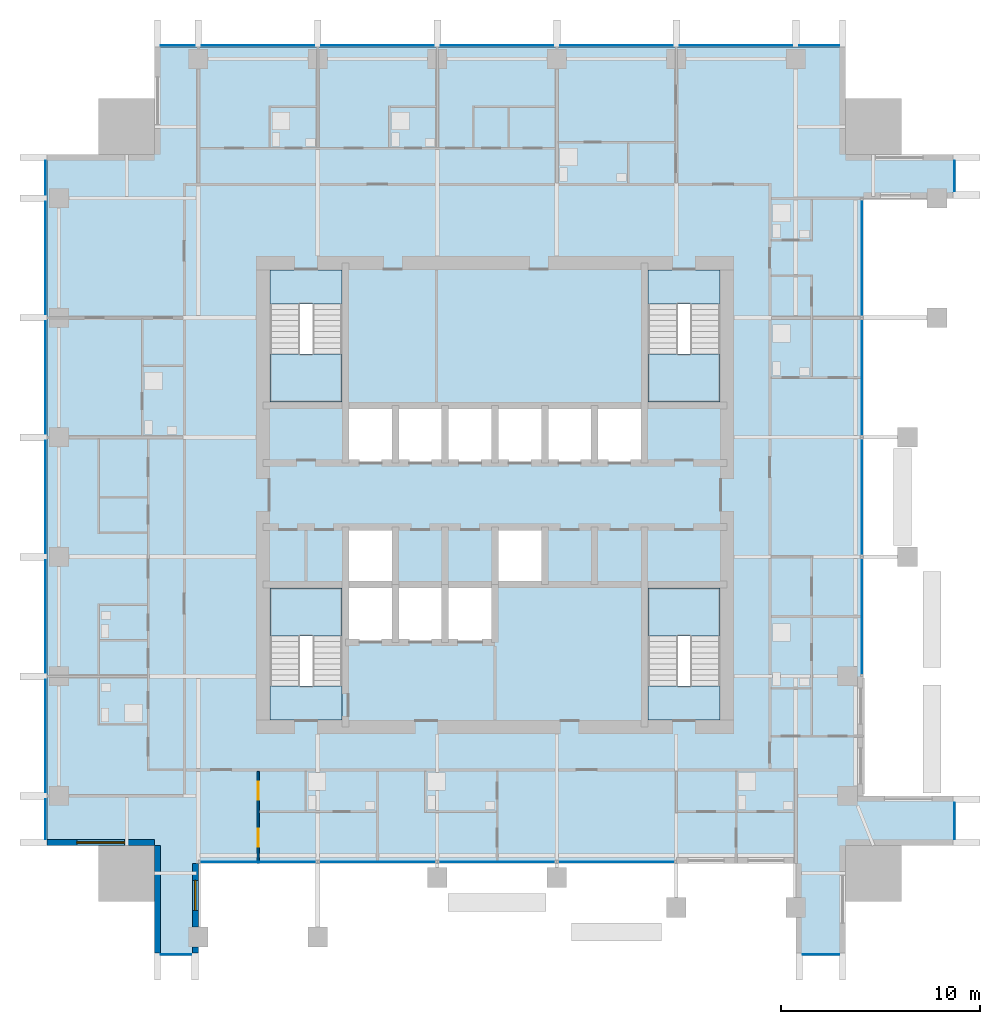
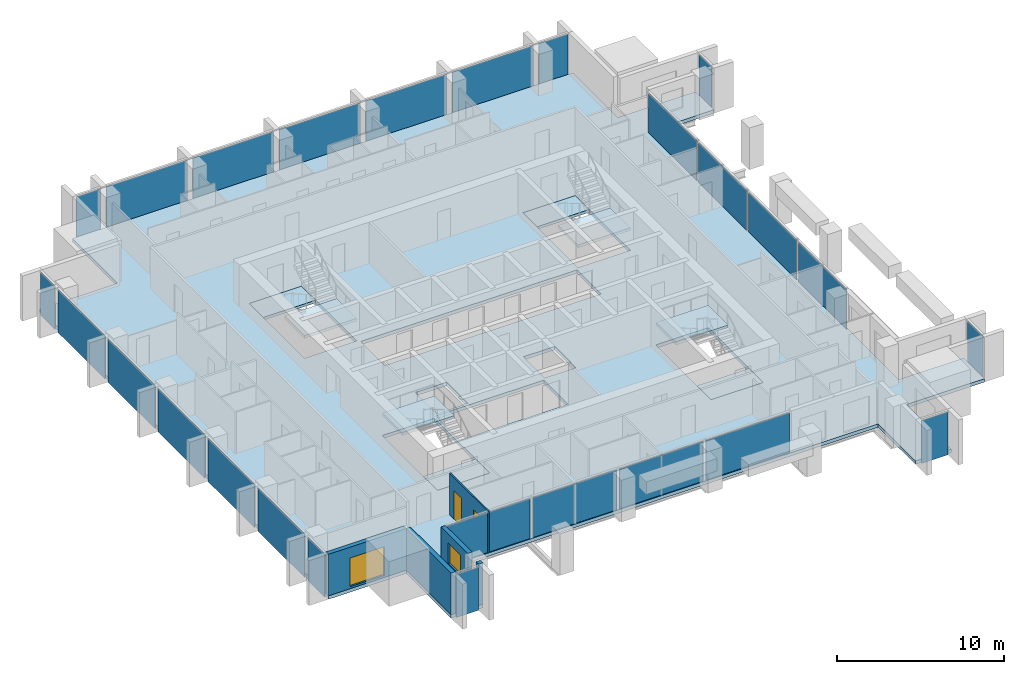
# One storey, part 7 of 14: 26 plates, 9 slabs, 5 walls, 2 doors, 2 windows, 4 openings, 18 elements without a shape of their own.
"""IFC4 building model written with IfcOpenShell, lengths in metres."""

from ifc_helpers import new_model, si_unit, direction, frame, frame_2d, origin, origin_2d, place, context, subcontext, project, spatial, polyline, rectangle, outline, extrude, material, layer, layer_set, type_object, element, fill, aggregate, save


model = new_model("IFC4")

# Units and contexts
model_context = context("Model", 3, precision=1e-05, world=origin(), true_north=direction((0.0, 1.0)))
body_context = subcontext(model_context, "Body", "Model", "MODEL_VIEW")
ifc_project = project(units=[si_unit("LENGTHUNIT", "METRE"), si_unit("AREAUNIT", "SQUARE_METRE"), si_unit("VOLUMEUNIT", "CUBIC_METRE"), si_unit("PLANEANGLEUNIT", "RADIAN"), si_unit("MASSUNIT", "GRAM", prefix="KILO")], contexts=[model_context])

# Site, building, storey
site_placement = place(None, origin())
site = spatial("IfcSite", under=ifc_project, at=site_placement, CompositionType="ELEMENT")
building_placement = place(site_placement, origin())
building = spatial("IfcBuilding", under=site, at=building_placement, Name="Amberfall Residences", CompositionType="ELEMENT")
storey_placement = place(building_placement, frame((0.0, 0.0, 168.10009765625)))
storey = spatial("IfcBuildingStorey", under=building, at=storey_placement, Name="L45", CompositionType="ELEMENT", Elevation=168.10009765625)

# Curtain wall, plate
ifc_material_1 = material(Name="Bronze anodised aluminium and glass", Category="aluminium")
curtain_wall_type_1 = type_object("IfcCurtainWallType", Name="Curtain wall CW1 tower unit", PredefinedType="USERDEFINED", material=ifc_material_1)
curtain_wall_1_placement = place(storey_placement, origin())
curtain_wall_1 = element("IfcCurtainWall", 1, at=curtain_wall_1_placement, inside=storey, type_object=curtain_wall_type_1, Name="Curtain wall L45 S S1", ObjectType="UNITISED CURTAIN WALL", PredefinedType="USERDEFINED")
ifc_material_2 = material(Name="Tinted double glazed unit", Category="glass")
ifc_layer_1 = layer(ifc_material_2, 0.035888671875)
ifc_layer_set_1 = layer_set([ifc_layer_1], Name="CW1 panel 36 glazing")
plate_type_1 = type_object("IfcPlateType", Name="CW1 panel 36 glazing", PredefinedType="CURTAIN_PANEL", material=ifc_layer_set_1)
plate_1_placement = place(storey_placement, frame((58.47509765625, 22.425048828125, -0.25), z_axis=(0.0, 0.0, 1.0), x_axis=(1.0, 0.0, 0.0)))
plate_1 = element("IfcPlate", 2, at=plate_1_placement, type_object=plate_type_1, Name="CW1 panel 1.1", PredefinedType="CURTAIN_PANEL", context=body_context, shape_type="SweptSolid", body=[
    extrude(rectangle(XDim=1.52587890625, YDim=0.035888671875, at=origin_2d()), origin(), (0.0, 0.0, 1.0), 3.14990234375),
])
aggregate(curtain_wall_1, [plate_1])

curtain_wall_2_placement = place(storey_placement, origin())
curtain_wall_2 = element("IfcCurtainWall", 3, at=curtain_wall_2_placement, inside=storey, type_object=curtain_wall_type_1, Name="Curtain wall L45 S S9", ObjectType="UNITISED CURTAIN WALL", PredefinedType="USERDEFINED")
plate_2_placement = place(storey_placement, frame((90.875, 22.425048828125, -0.25), z_axis=(0.0, 0.0, 1.0), x_axis=(1.0, 0.0, 0.0)))
plate_2 = element("IfcPlate", 4, at=plate_2_placement, type_object=plate_type_1, Name="CW1 panel 1.1", PredefinedType="CURTAIN_PANEL", context=body_context, shape_type="SweptSolid", body=[
    extrude(rectangle(XDim=1.825927734375, YDim=0.035888671875, at=origin_2d()), origin(), (0.0, 0.0, 1.0), 3.14990234375),
])
aggregate(curtain_wall_2, [plate_2])

curtain_wall_3_placement = place(storey_placement, origin())
curtain_wall_3 = element("IfcCurtainWall", 5, at=curtain_wall_3_placement, inside=storey, type_object=curtain_wall_type_1, Name="Curtain wall L45 E E1", ObjectType="UNITISED CURTAIN WALL", PredefinedType="USERDEFINED")
plate_3_placement = place(storey_placement, frame((97.574951171875, 29.125, -0.25), z_axis=(0.0, 0.0, 1.0), x_axis=(0.0, 1.0, 0.0)))
plate_3 = element("IfcPlate", 6, at=plate_3_placement, type_object=plate_type_1, Name="CW1 panel 1.1", PredefinedType="CURTAIN_PANEL", context=body_context, shape_type="SweptSolid", body=[
    extrude(rectangle(XDim=1.825927734375, YDim=0.035888671875, at=origin_2d()), origin(), (0.0, 0.0, 1.0), 3.14990234375),
])
aggregate(curtain_wall_3, [plate_3])

curtain_wall_4_placement = place(storey_placement, origin())
curtain_wall_4 = element("IfcCurtainWall", 7, at=curtain_wall_4_placement, inside=storey, type_object=curtain_wall_type_1, Name="Curtain wall L45 E E9", ObjectType="UNITISED CURTAIN WALL", PredefinedType="USERDEFINED")
plate_4_placement = place(storey_placement, frame((97.574951171875, 61.52490234375, -0.25), z_axis=(0.0, 0.0, 1.0), x_axis=(0.0, 1.0, 0.0)))
plate_4 = element("IfcPlate", 8, at=plate_4_placement, type_object=plate_type_1, Name="CW1 panel 1.1", PredefinedType="CURTAIN_PANEL", context=body_context, shape_type="SweptSolid", body=[
    extrude(rectangle(XDim=1.52587890625, YDim=0.035888671875, at=origin_2d()), origin(), (0.0, 0.0, 1.0), 3.14990234375),
])
aggregate(curtain_wall_4, [plate_4])

# Curtain wall, plates
curtain_wall_5_placement = place(storey_placement, origin())
curtain_wall_5 = element("IfcCurtainWall", 9, at=curtain_wall_5_placement, inside=storey, type_object=curtain_wall_type_1, Name="Curtain wall L45 N N1", ObjectType="UNITISED CURTAIN WALL", PredefinedType="USERDEFINED")
plate_5_placement = place(storey_placement, frame((90.78759765625, 68.074951171875, -0.25), z_axis=(0.0, 0.0, 1.0), x_axis=(-1.0, 0.0, 0.0)))
plate_5 = element("IfcPlate", 10, at=plate_5_placement, type_object=plate_type_1, Name="CW1 panel 1.1", PredefinedType="CURTAIN_PANEL", context=body_context, shape_type="SweptSolid", body=[
    extrude(rectangle(XDim=2.0009765625, YDim=0.035888671875, at=origin_2d()), origin(), (0.0, 0.0, 1.0), 3.14990234375),
])
plate_6_placement = place(storey_placement, frame((86.60009765625, 68.074951171875, -0.25), z_axis=(0.0, 0.0, 1.0), x_axis=(-1.0, 0.0, 0.0)))
plate_6 = element("IfcPlate", 11, at=plate_6_placement, type_object=plate_type_1, Name="CW1 panel 2.1", PredefinedType="CURTAIN_PANEL", context=body_context, shape_type="SweptSolid", body=[
    extrude(rectangle(XDim=5.6259765625, YDim=0.035888671875, at=origin_2d()), origin(), (0.0, 0.0, 1.0), 3.14990234375),
])
plate_7_placement = place(storey_placement, frame((80.60009765625, 68.074951171875, -0.25), z_axis=(0.0, 0.0, 1.0), x_axis=(-1.0, 0.0, 0.0)))
plate_7 = element("IfcPlate", 12, at=plate_7_placement, type_object=plate_type_1, Name="CW1 panel 3.1", PredefinedType="CURTAIN_PANEL", context=body_context, shape_type="SweptSolid", body=[
    extrude(rectangle(XDim=5.6259765625, YDim=0.035888671875, at=origin_2d()), origin(), (0.0, 0.0, 1.0), 3.14990234375),
])
plate_8_placement = place(storey_placement, frame((74.60009765625, 68.074951171875, -0.25), z_axis=(0.0, 0.0, 1.0), x_axis=(-1.0, 0.0, 0.0)))
plate_8 = element("IfcPlate", 13, at=plate_8_placement, type_object=plate_type_1, Name="CW1 panel 4.1", PredefinedType="CURTAIN_PANEL", context=body_context, shape_type="SweptSolid", body=[
    extrude(rectangle(XDim=5.6259765625, YDim=0.035888671875, at=origin_2d()), origin(), (0.0, 0.0, 1.0), 3.14990234375),
])
plate_9_placement = place(storey_placement, frame((68.60009765625, 68.074951171875, -0.25), z_axis=(0.0, 0.0, 1.0), x_axis=(-1.0, 0.0, 0.0)))
plate_9 = element("IfcPlate", 14, at=plate_9_placement, type_object=plate_type_1, Name="CW1 panel 5.1", PredefinedType="CURTAIN_PANEL", context=body_context, shape_type="SweptSolid", body=[
    extrude(rectangle(XDim=5.6259765625, YDim=0.035888671875, at=origin_2d()), origin(), (0.0, 0.0, 1.0), 3.14990234375),
])
plate_10_placement = place(storey_placement, frame((62.60009765625, 68.074951171875, -0.25), z_axis=(0.0, 0.0, 1.0), x_axis=(-1.0, 0.0, 0.0)))
plate_10 = element("IfcPlate", 15, at=plate_10_placement, type_object=plate_type_1, Name="CW1 panel 6.1", PredefinedType="CURTAIN_PANEL", context=body_context, shape_type="SweptSolid", body=[
    extrude(rectangle(XDim=5.6259765625, YDim=0.035888671875, at=origin_2d()), origin(), (0.0, 0.0, 1.0), 3.14990234375),
])
plate_11_placement = place(storey_placement, frame((58.5625, 68.074951171875, -0.25), z_axis=(0.0, 0.0, 1.0), x_axis=(-1.0, 0.0, 0.0)))
plate_11 = element("IfcPlate", 16, at=plate_11_placement, type_object=plate_type_1, Name="CW1 panel 7.1", PredefinedType="CURTAIN_PANEL", context=body_context, shape_type="SweptSolid", body=[
    extrude(rectangle(XDim=1.700927734375, YDim=0.035888671875, at=origin_2d()), origin(), (0.0, 0.0, 1.0), 3.14990234375),
])
aggregate(curtain_wall_5, [plate_5, plate_6, plate_7, plate_8, plate_9, plate_10, plate_11])

curtain_wall_6_placement = place(storey_placement, origin())
curtain_wall_6 = element("IfcCurtainWall", 17, at=curtain_wall_6_placement, inside=storey, type_object=curtain_wall_type_1, Name="Curtain wall L45 W W1", ObjectType="UNITISED CURTAIN WALL", PredefinedType="USERDEFINED")
plate_12_placement = place(storey_placement, frame((51.925048828125, 61.4375, -0.25), z_axis=(0.0, 0.0, 1.0), x_axis=(0.0, -1.0, 0.0)))
plate_12 = element("IfcPlate", 18, at=plate_12_placement, type_object=plate_type_1, Name="CW1 panel 1.1", PredefinedType="CURTAIN_PANEL", context=body_context, shape_type="SweptSolid", body=[
    extrude(rectangle(XDim=1.700927734375, YDim=0.035888671875, at=origin_2d()), origin(), (0.0, 0.0, 1.0), 3.14990234375),
])
plate_13_placement = place(storey_placement, frame((51.925048828125, 57.39990234375, -0.25), z_axis=(0.0, 0.0, 1.0), x_axis=(0.0, -1.0, 0.0)))
plate_13 = element("IfcPlate", 19, at=plate_13_placement, type_object=plate_type_1, Name="CW1 panel 2.1", PredefinedType="CURTAIN_PANEL", context=body_context, shape_type="SweptSolid", body=[
    extrude(rectangle(XDim=5.6259765625, YDim=0.035888671875, at=origin_2d()), origin(), (0.0, 0.0, 1.0), 3.14990234375),
])
plate_14_placement = place(storey_placement, frame((51.925048828125, 51.39990234375, -0.25), z_axis=(0.0, 0.0, 1.0), x_axis=(0.0, -1.0, 0.0)))
plate_14 = element("IfcPlate", 20, at=plate_14_placement, type_object=plate_type_1, Name="CW1 panel 3.1", PredefinedType="CURTAIN_PANEL", context=body_context, shape_type="SweptSolid", body=[
    extrude(rectangle(XDim=5.6259765625, YDim=0.035888671875, at=origin_2d()), origin(), (0.0, 0.0, 1.0), 3.14990234375),
])
plate_15_placement = place(storey_placement, frame((51.925048828125, 45.39990234375, -0.25), z_axis=(0.0, 0.0, 1.0), x_axis=(0.0, -1.0, 0.0)))
plate_15 = element("IfcPlate", 21, at=plate_15_placement, type_object=plate_type_1, Name="CW1 panel 4.1", PredefinedType="CURTAIN_PANEL", context=body_context, shape_type="SweptSolid", body=[
    extrude(rectangle(XDim=5.6259765625, YDim=0.035888671875, at=origin_2d()), origin(), (0.0, 0.0, 1.0), 3.14990234375),
])
plate_16_placement = place(storey_placement, frame((51.925048828125, 39.39990234375, -0.25), z_axis=(0.0, 0.0, 1.0), x_axis=(0.0, -1.0, 0.0)))
plate_16 = element("IfcPlate", 22, at=plate_16_placement, type_object=plate_type_1, Name="CW1 panel 5.1", PredefinedType="CURTAIN_PANEL", context=body_context, shape_type="SweptSolid", body=[
    extrude(rectangle(XDim=5.6259765625, YDim=0.035888671875, at=origin_2d()), origin(), (0.0, 0.0, 1.0), 3.14990234375),
])
plate_17_placement = place(storey_placement, frame((51.925048828125, 33.39990234375, -0.25), z_axis=(0.0, 0.0, 1.0), x_axis=(0.0, -1.0, 0.0)))
plate_17 = element("IfcPlate", 23, at=plate_17_placement, type_object=plate_type_1, Name="CW1 panel 6.1", PredefinedType="CURTAIN_PANEL", context=body_context, shape_type="SweptSolid", body=[
    extrude(rectangle(XDim=5.6259765625, YDim=0.035888671875, at=origin_2d()), origin(), (0.0, 0.0, 1.0), 3.14990234375),
])
plate_18_placement = place(storey_placement, frame((51.925048828125, 29.21240234375, -0.25), z_axis=(0.0, 0.0, 1.0), x_axis=(0.0, -1.0, 0.0)))
plate_18 = element("IfcPlate", 24, at=plate_18_placement, type_object=plate_type_1, Name="CW1 panel 7.1", PredefinedType="CURTAIN_PANEL", context=body_context, shape_type="SweptSolid", body=[
    extrude(rectangle(XDim=2.0009765625, YDim=0.035888671875, at=origin_2d()), origin(), (0.0, 0.0, 1.0), 3.14990234375),
])
aggregate(curtain_wall_6, [plate_12, plate_13, plate_14, plate_15, plate_16, plate_17, plate_18])

# Curtain wall, plate
curtain_wall_type_2 = type_object("IfcCurtainWallType", Name="Curtain wall CW3 sky garden glazing", PredefinedType="USERDEFINED", material=ifc_material_1)
curtain_wall_7_placement = place(storey_placement, origin())
curtain_wall_7 = element("IfcCurtainWall", 25, at=curtain_wall_7_placement, inside=storey, type_object=curtain_wall_type_2, Name="Curtain wall L45 S S3", ObjectType="UNITISED CURTAIN WALL", PredefinedType="USERDEFINED")
ifc_material_3 = material(Name="Tinted laminated double glazed unit", Category="glass")
ifc_layer_2 = layer(ifc_material_3, 0.0439453125)
ifc_layer_set_2 = layer_set([ifc_layer_2], Name="CW3 panel 44 glazing")
plate_type_2 = type_object("IfcPlateType", Name="CW3 panel 44 glazing", PredefinedType="CURTAIN_PANEL", material=ifc_layer_set_2)
plate_19_placement = place(storey_placement, frame((62.60009765625, 27.074951171875, 0.0), z_axis=(0.0, 0.0, 1.0), x_axis=(1.0, 0.0, 0.0)))
plate_19 = element("IfcPlate", 26, at=plate_19_placement, type_object=plate_type_2, Name="CW3 panel 1.1", PredefinedType="CURTAIN_PANEL", context=body_context, shape_type="SweptSolid", body=[
    extrude(rectangle(XDim=5.77587890625, YDim=0.0439453125, at=origin_2d()), origin(), (0.0, 0.0, 1.0), 2.89990234375),
])
aggregate(curtain_wall_7, [plate_19])

curtain_wall_8_placement = place(storey_placement, origin())
curtain_wall_8 = element("IfcCurtainWall", 27, at=curtain_wall_8_placement, inside=storey, type_object=curtain_wall_type_2, Name="Curtain wall L45 S S4", ObjectType="UNITISED CURTAIN WALL", PredefinedType="USERDEFINED")
plate_20_placement = place(storey_placement, frame((68.60009765625, 27.074951171875, 0.0), z_axis=(0.0, 0.0, 1.0), x_axis=(1.0, 0.0, 0.0)))
plate_20 = element("IfcPlate", 28, at=plate_20_placement, type_object=plate_type_2, Name="CW3 panel 1.1", PredefinedType="CURTAIN_PANEL", context=body_context, shape_type="SweptSolid", body=[
    extrude(rectangle(XDim=5.77587890625, YDim=0.0439453125, at=origin_2d()), origin(), (0.0, 0.0, 1.0), 2.89990234375),
])
aggregate(curtain_wall_8, [plate_20])

curtain_wall_9_placement = place(storey_placement, origin())
curtain_wall_9 = element("IfcCurtainWall", 29, at=curtain_wall_9_placement, inside=storey, type_object=curtain_wall_type_2, Name="Curtain wall L45 S S5", ObjectType="UNITISED CURTAIN WALL", PredefinedType="USERDEFINED")
plate_21_placement = place(storey_placement, frame((74.60009765625, 27.074951171875, 0.0), z_axis=(0.0, 0.0, 1.0), x_axis=(1.0, 0.0, 0.0)))
plate_21 = element("IfcPlate", 30, at=plate_21_placement, type_object=plate_type_2, Name="CW3 panel 1.1", PredefinedType="CURTAIN_PANEL", context=body_context, shape_type="SweptSolid", body=[
    extrude(rectangle(XDim=5.77587890625, YDim=0.0439453125, at=origin_2d()), origin(), (0.0, 0.0, 1.0), 2.89990234375),
])
aggregate(curtain_wall_9, [plate_21])

curtain_wall_10_placement = place(storey_placement, origin())
curtain_wall_10 = element("IfcCurtainWall", 31, at=curtain_wall_10_placement, inside=storey, type_object=curtain_wall_type_2, Name="Curtain wall L45 S S6", ObjectType="UNITISED CURTAIN WALL", PredefinedType="USERDEFINED")
plate_22_placement = place(storey_placement, frame((80.60009765625, 27.074951171875, 0.0), z_axis=(0.0, 0.0, 1.0), x_axis=(1.0, 0.0, 0.0)))
plate_22 = element("IfcPlate", 32, at=plate_22_placement, type_object=plate_type_2, Name="CW3 panel 1.1", PredefinedType="CURTAIN_PANEL", context=body_context, shape_type="SweptSolid", body=[
    extrude(rectangle(XDim=5.77587890625, YDim=0.0439453125, at=origin_2d()), origin(), (0.0, 0.0, 1.0), 2.89990234375),
])
aggregate(curtain_wall_10, [plate_22])

curtain_wall_11_placement = place(storey_placement, origin())
curtain_wall_11 = element("IfcCurtainWall", 33, at=curtain_wall_11_placement, inside=storey, type_object=curtain_wall_type_2, Name="Curtain wall L45 E E4", ObjectType="UNITISED CURTAIN WALL", PredefinedType="USERDEFINED")
plate_23_placement = place(storey_placement, frame((92.925048828125, 39.39990234375, 0.0), z_axis=(0.0, 0.0, 1.0), x_axis=(0.0, 1.0, 0.0)))
plate_23 = element("IfcPlate", 34, at=plate_23_placement, type_object=plate_type_2, Name="CW3 panel 1.1", PredefinedType="CURTAIN_PANEL", context=body_context, shape_type="SweptSolid", body=[
    extrude(rectangle(XDim=5.77587890625, YDim=0.0439453125, at=origin_2d()), origin(), (0.0, 0.0, 1.0), 2.89990234375),
])
aggregate(curtain_wall_11, [plate_23])

curtain_wall_12_placement = place(storey_placement, origin())
curtain_wall_12 = element("IfcCurtainWall", 35, at=curtain_wall_12_placement, inside=storey, type_object=curtain_wall_type_2, Name="Curtain wall L45 E E5", ObjectType="UNITISED CURTAIN WALL", PredefinedType="USERDEFINED")
plate_24_placement = place(storey_placement, frame((92.925048828125, 45.39990234375, 0.0), z_axis=(0.0, 0.0, 1.0), x_axis=(0.0, 1.0, 0.0)))
plate_24 = element("IfcPlate", 36, at=plate_24_placement, type_object=plate_type_2, Name="CW3 panel 1.1", PredefinedType="CURTAIN_PANEL", context=body_context, shape_type="SweptSolid", body=[
    extrude(rectangle(XDim=5.77587890625, YDim=0.0439453125, at=origin_2d()), origin(), (0.0, 0.0, 1.0), 2.89990234375),
])
aggregate(curtain_wall_12, [plate_24])

curtain_wall_13_placement = place(storey_placement, origin())
curtain_wall_13 = element("IfcCurtainWall", 37, at=curtain_wall_13_placement, inside=storey, type_object=curtain_wall_type_2, Name="Curtain wall L45 E E6", ObjectType="UNITISED CURTAIN WALL", PredefinedType="USERDEFINED")
plate_25_placement = place(storey_placement, frame((92.925048828125, 51.39990234375, 0.0), z_axis=(0.0, 0.0, 1.0), x_axis=(0.0, 1.0, 0.0)))
plate_25 = element("IfcPlate", 38, at=plate_25_placement, type_object=plate_type_2, Name="CW3 panel 1.1", PredefinedType="CURTAIN_PANEL", context=body_context, shape_type="SweptSolid", body=[
    extrude(rectangle(XDim=5.77587890625, YDim=0.0439453125, at=origin_2d()), origin(), (0.0, 0.0, 1.0), 2.89990234375),
])
aggregate(curtain_wall_13, [plate_25])

curtain_wall_14_placement = place(storey_placement, origin())
curtain_wall_14 = element("IfcCurtainWall", 39, at=curtain_wall_14_placement, inside=storey, type_object=curtain_wall_type_2, Name="Curtain wall L45 E E7", ObjectType="UNITISED CURTAIN WALL", PredefinedType="USERDEFINED")
plate_26_placement = place(storey_placement, frame((92.925048828125, 57.39990234375, 0.0), z_axis=(0.0, 0.0, 1.0), x_axis=(0.0, 1.0, 0.0)))
plate_26 = element("IfcPlate", 40, at=plate_26_placement, type_object=plate_type_2, Name="CW3 panel 1.1", PredefinedType="CURTAIN_PANEL", context=body_context, shape_type="SweptSolid", body=[
    extrude(rectangle(XDim=5.77587890625, YDim=0.0439453125, at=origin_2d()), origin(), (0.0, 0.0, 1.0), 2.89990234375),
])
aggregate(curtain_wall_14, [plate_26])

# Slab
ifc_material_4 = material(Name="Concrete C60", Category="concrete")
ifc_layer_3 = layer(ifc_material_4, 0.25)
ifc_layer_set_3 = layer_set([ifc_layer_3], Name="Floor slab 250 C60")
slab_type_1 = type_object("IfcSlabType", Name="Floor slab 250 C60", PredefinedType="FLOOR", material=ifc_layer_set_3)
slab_1_placement = place(storey_placement, frame((0.0, 0.0, -0.25)))
element("IfcSlab", 41, at=slab_1_placement, inside=storey, type_object=slab_type_1, Name="Floor slab S10 L45", PredefinedType="FLOOR", context=body_context, shape_type="SweptSolid", body=[
    extrude(outline(polyline([(89.60009765625, 22.5), (89.60009765625, 27.0), (83.60009765625, 27.0), (77.60009765625, 27.0), (71.60009765625, 27.0), (65.60009765625, 27.0), (59.60009765625, 27.0), (59.60009765625, 22.5), (57.39990234375, 22.5), (57.39990234375, 27.89990234375), (52.0, 27.89990234375), (52.0, 62.60009765625), (57.39990234375, 62.60009765625), (57.39990234375, 68.0), (92.10009765625, 68.0), (92.10009765625, 62.60009765625), (97.5, 62.60009765625), (97.5, 60.39990234375), (93.0, 60.39990234375), (93.0, 54.39990234375), (93.0, 48.39990234375), (93.0, 42.39990234375), (93.0, 36.39990234375), (93.0, 30.39990234375), (97.5, 30.39990234375), (97.5, 27.89990234375), (92.10009765625, 27.89990234375), (92.10009765625, 22.5), (89.60009765625, 22.5)]), holes=[polyline([(85.800048828125, 34.199951171875), (85.800048828125, 40.824951171875), (82.175048828125, 40.824951171875), (82.175048828125, 34.199951171875), (85.800048828125, 34.199951171875)]), polyline([(85.800048828125, 50.175048828125), (85.800048828125, 56.800048828125), (82.175048828125, 56.800048828125), (82.175048828125, 50.175048828125), (85.800048828125, 50.175048828125)]), polyline([(72.0, 50.0), (69.5, 50.0), (67.0, 50.0), (67.0, 47.10009765625), (69.5, 47.10009765625), (72.0, 47.10009765625), (74.5, 47.10009765625), (77.0, 47.10009765625), (79.5, 47.10009765625), (82.0, 47.10009765625), (82.0, 50.0), (79.5, 50.0), (77.0, 50.0), (74.5, 50.0), (72.0, 50.0)]), polyline([(76.824951171875, 41.175048828125), (76.824951171875, 43.72509765625), (74.675048828125, 43.72509765625), (74.675048828125, 41.175048828125), (76.824951171875, 41.175048828125)]), polyline([(69.5, 41.0), (67.0, 41.0), (67.0, 38.10009765625), (69.5, 38.10009765625), (72.0, 38.10009765625), (74.5, 38.10009765625), (74.5, 41.0), (72.0, 41.0), (69.5, 41.0)]), polyline([(69.324951171875, 41.175048828125), (69.324951171875, 43.72509765625), (67.175048828125, 43.72509765625), (67.175048828125, 41.175048828125), (69.324951171875, 41.175048828125)]), polyline([(66.824951171875, 50.175048828125), (66.824951171875, 56.800048828125), (63.199951171875, 56.800048828125), (63.199951171875, 50.175048828125), (66.824951171875, 50.175048828125)]), polyline([(66.824951171875, 40.824951171875), (63.199951171875, 40.824951171875), (63.199951171875, 34.199951171875), (66.824951171875, 34.199951171875), (66.824951171875, 40.824951171875)])]), origin(), (0.0, 0.0, 1.0), 0.25),
])

# Stair, slabs
ifc_material_5 = material(Name="Concrete C40", Category="concrete")
stair_type = type_object("IfcStairType", Name="Exit stair 20 risers 165.0 mm", PredefinedType="HALF_TURN_STAIR", material=ifc_material_5)
stair_1_placement = place(storey_placement, origin())
stair_1 = element("IfcStair", 42, at=stair_1_placement, inside=storey, type_object=stair_type, Name="L45 Exit stair 1", PredefinedType="HALF_TURN_STAIR")
ifc_layer_4 = layer(ifc_material_5, 0.199951171875)
ifc_layer_set_4 = layer_set([ifc_layer_4], Name="Stair landing 200")
slab_type_2 = type_object("IfcSlabType", Name="Stair landing 200", PredefinedType="LANDING", material=ifc_layer_set_4)
slab_2_placement = place(storey_placement, frame((0.0, 0.0, 1.449951171875)))
slab_2 = element("IfcSlab", 43, at=slab_2_placement, type_object=slab_type_2, Name="ST3 landing 1", PredefinedType="LANDING", context=body_context, shape_type="SweptSolid", body=[
    extrude(outline(polyline([(66.824951171875, 38.419921875), (66.824951171875, 40.824951171875), (63.199951171875, 40.824951171875), (63.199951171875, 38.419921875), (66.824951171875, 38.419921875)])), origin(), (0.0, 0.0, 1.0), 0.199951171875),
])
slab_3_placement = place(storey_placement, frame((0.0, 0.0, -0.2001953125)))
slab_3 = element("IfcSlab", 44, at=slab_3_placement, type_object=slab_type_2, Name="ST3 landing 2", PredefinedType="LANDING", context=body_context, shape_type="SweptSolid", body=[
    extrude(outline(polyline([(66.824951171875, 34.199951171875), (66.824951171875, 35.89990234375), (63.199951171875, 35.89990234375), (63.199951171875, 34.199951171875), (66.824951171875, 34.199951171875)])), origin(), (0.0, 0.0, 1.0), 0.2001953125),
])
aggregate(stair_1, [slab_2, slab_3])

stair_2_placement = place(storey_placement, origin())
stair_2 = element("IfcStair", 45, at=stair_2_placement, inside=storey, type_object=stair_type, Name="L45 Exit stair 2", PredefinedType="HALF_TURN_STAIR")
slab_4_placement = place(storey_placement, frame((0.0, 0.0, 1.449951171875)))
slab_4 = element("IfcSlab", 46, at=slab_4_placement, type_object=slab_type_2, Name="ST3 landing 1", PredefinedType="LANDING", context=body_context, shape_type="SweptSolid", body=[
    extrude(outline(polyline([(85.800048828125, 38.419921875), (85.800048828125, 40.824951171875), (82.175048828125, 40.824951171875), (82.175048828125, 38.419921875), (85.800048828125, 38.419921875)])), origin(), (0.0, 0.0, 1.0), 0.199951171875),
])
slab_5_placement = place(storey_placement, frame((0.0, 0.0, -0.2001953125)))
slab_5 = element("IfcSlab", 47, at=slab_5_placement, type_object=slab_type_2, Name="ST3 landing 2", PredefinedType="LANDING", context=body_context, shape_type="SweptSolid", body=[
    extrude(outline(polyline([(85.800048828125, 34.199951171875), (85.800048828125, 35.89990234375), (82.175048828125, 35.89990234375), (82.175048828125, 34.199951171875), (85.800048828125, 34.199951171875)])), origin(), (0.0, 0.0, 1.0), 0.2001953125),
])
aggregate(stair_2, [slab_4, slab_5])

stair_3_placement = place(storey_placement, origin())
stair_3 = element("IfcStair", 48, at=stair_3_placement, inside=storey, type_object=stair_type, Name="L45 Exit stair 3", PredefinedType="HALF_TURN_STAIR")
slab_6_placement = place(storey_placement, frame((0.0, 0.0, 1.449951171875)))
slab_6 = element("IfcSlab", 49, at=slab_6_placement, type_object=slab_type_2, Name="ST3 landing 1", PredefinedType="LANDING", context=body_context, shape_type="SweptSolid", body=[
    extrude(outline(polyline([(82.175048828125, 52.580078125), (82.175048828125, 50.175048828125), (85.800048828125, 50.175048828125), (85.800048828125, 52.580078125), (82.175048828125, 52.580078125)])), origin(), (0.0, 0.0, 1.0), 0.199951171875),
])
slab_7_placement = place(storey_placement, frame((0.0, 0.0, -0.2001953125)))
slab_7 = element("IfcSlab", 50, at=slab_7_placement, type_object=slab_type_2, Name="ST3 landing 2", PredefinedType="LANDING", context=body_context, shape_type="SweptSolid", body=[
    extrude(outline(polyline([(82.175048828125, 56.800048828125), (82.175048828125, 55.10009765625), (85.800048828125, 55.10009765625), (85.800048828125, 56.800048828125), (82.175048828125, 56.800048828125)])), origin(), (0.0, 0.0, 1.0), 0.2001953125),
])
aggregate(stair_3, [slab_6, slab_7])

stair_4_placement = place(storey_placement, origin())
stair_4 = element("IfcStair", 51, at=stair_4_placement, inside=storey, type_object=stair_type, Name="L45 Exit stair 4", PredefinedType="HALF_TURN_STAIR")
slab_8_placement = place(storey_placement, frame((0.0, 0.0, 1.449951171875)))
slab_8 = element("IfcSlab", 52, at=slab_8_placement, type_object=slab_type_2, Name="ST3 landing 1", PredefinedType="LANDING", context=body_context, shape_type="SweptSolid", body=[
    extrude(outline(polyline([(63.199951171875, 52.580078125), (63.199951171875, 50.175048828125), (66.824951171875, 50.175048828125), (66.824951171875, 52.580078125), (63.199951171875, 52.580078125)])), origin(), (0.0, 0.0, 1.0), 0.199951171875),
])
slab_9_placement = place(storey_placement, frame((0.0, 0.0, -0.2001953125)))
slab_9 = element("IfcSlab", 53, at=slab_9_placement, type_object=slab_type_2, Name="ST3 landing 2", PredefinedType="LANDING", context=body_context, shape_type="SweptSolid", body=[
    extrude(outline(polyline([(63.199951171875, 56.800048828125), (63.199951171875, 55.10009765625), (66.824951171875, 55.10009765625), (66.824951171875, 56.800048828125), (63.199951171875, 56.800048828125)])), origin(), (0.0, 0.0, 1.0), 0.2001953125),
])
aggregate(stair_4, [slab_8, slab_9])

# Wall
ifc_material_6 = material(Name="Pale stone cladding on insulated backing", Category="masonry")
ifc_layer_5 = layer(ifc_material_6, 0.300048828125)
ifc_layer_set_5 = layer_set([ifc_layer_5], Name="Bronze clad wall 300")
wall_type_1 = type_object("IfcWallType", Name="Bronze clad wall 300", PredefinedType="SOLIDWALL", material=ifc_layer_set_5)
wall_1_placement = place(storey_placement, frame((59.449951171875, 22.5, 0.0), z_axis=(0.0, 0.0, 1.0), x_axis=(0.0, 1.0, 0.0)))
element("IfcWall", 54, at=wall_1_placement, inside=storey, type_object=wall_type_1, Name="External wall L45 S", PredefinedType="SOLIDWALL", context=body_context, shape_type="SweptSolid", body=[
    extrude(rectangle(XDim=0.300048828125, YDim=0.300048828125, at=frame_2d((0.14990234375, 0.0))), origin(), (0.0, 0.0, 1.0), 3.0498046875),
])

# Wall, opening, window
wall_2_placement = place(storey_placement, frame((59.449951171875, 23.800048828125, 0.0), z_axis=(0.0, 0.0, 1.0), x_axis=(0.0, 1.0, 0.0)))
wall_2 = element("IfcWall", 55, at=wall_2_placement, inside=storey, type_object=wall_type_1, Name="External wall L45 S", PredefinedType="SOLIDWALL", context=body_context, shape_type="SweptSolid", body=[
    extrude(rectangle(XDim=3.199951171875, YDim=0.300048828125, at=frame_2d((1.60009765625, 0.0))), origin(), (0.0, 0.0, 1.0), 3.0498046875),
])
opening_1_placement = place(wall_2_placement, frame((0.85009765625, 0.0, 0.89990234375)))
opening_1 = element("IfcOpeningElement", 56, at=opening_1_placement, cuts=wall_2, Name="Opening WN1", PredefinedType="OPENING", context=body_context, shape_type="SweptSolid", body=[
    extrude(rectangle(XDim=1.5, YDim=1.5, at=frame_2d((0.75, 0.75))), frame((0.0, 0.159912109375, 0.0), z_axis=(0.0, -1.0, 0.0), x_axis=(1.0, 0.0, 0.0)), (0.0, 0.0, 1.0), 0.320068359375),
])
ifc_material_7 = material(Name="Bronze aluminium framed glazing", Category="aluminium")
window_type_1 = type_object("IfcWindowType", Name="Window 1500 x 1500 bronze", PartitioningType="DOUBLE_PANEL_VERTICAL", PredefinedType="WINDOW", material=ifc_material_7)
window_1_placement = place(opening_1_placement, origin())
window_1 = element("IfcWindow", 57, at=window_1_placement, inside=storey, type_object=window_type_1, Name="Window L45 S", OverallHeight=1.5, OverallWidth=1.5, PartitioningType="DOUBLE_PANEL_VERTICAL", PredefinedType="WINDOW", context=body_context, shape_type="SweptSolid", body=[
    extrude(rectangle(XDim=1.5, YDim=1.5, at=frame_2d((0.75, 0.75))), frame((0.0, 0.030029296875, 0.0), z_axis=(0.0, -1.0, 0.0), x_axis=(1.0, 0.0, 0.0)), (0.0, 0.0, 1.0), 0.06005859375),
])
fill(opening_1, window_1)

wall_3_placement = place(storey_placement, frame((52.0, 28.050048828125, 0.0), z_axis=(0.0, 0.0, 1.0), x_axis=(1.0, 0.0, 0.0)))
wall_3 = element("IfcWall", 58, at=wall_3_placement, inside=storey, type_object=wall_type_1, Name="External wall L45 SW", PredefinedType="SOLIDWALL", context=body_context, shape_type="SweptSolid", body=[
    extrude(rectangle(XDim=5.39990234375, YDim=0.300048828125, at=frame_2d((2.699951171875, 0.0))), origin(), (0.0, 0.0, 1.0), 3.0498046875),
])
opening_2_placement = place(wall_3_placement, frame((1.5, 0.0, 0.14990234375)))
opening_2 = element("IfcOpeningElement", 59, at=opening_2_placement, cuts=wall_3, Name="Opening WN5", PredefinedType="OPENING", context=body_context, shape_type="SweptSolid", body=[
    extrude(rectangle(XDim=2.39990234375, YDim=2.10009765625, at=frame_2d((1.199951171875, 1.050048828125))), frame((0.0, 0.159912109375, 0.0), z_axis=(0.0, -1.0, 0.0), x_axis=(1.0, 0.0, 0.0)), (0.0, 0.0, 1.0), 0.320068359375),
])
window_type_2 = type_object("IfcWindowType", Name="Glazed opening 2400 x 2100 bronze", PartitioningType="DOUBLE_PANEL_VERTICAL", PredefinedType="WINDOW", material=ifc_material_7)
window_2_placement = place(opening_2_placement, origin())
window_2 = element("IfcWindow", 60, at=window_2_placement, inside=storey, type_object=window_type_2, Name="Window L45 SW", OverallHeight=2.10009765625, OverallWidth=2.39990234375, PartitioningType="DOUBLE_PANEL_VERTICAL", PredefinedType="WINDOW", context=body_context, shape_type="SweptSolid", body=[
    extrude(rectangle(XDim=2.39990234375, YDim=2.10009765625, at=frame_2d((1.199951171875, 1.050048828125))), frame((0.0, 0.030029296875, 0.0), z_axis=(0.0, -1.0, 0.0), x_axis=(1.0, 0.0, 0.0)), (0.0, 0.0, 1.0), 0.06005859375),
])
fill(opening_2, window_2)

# Wall
wall_4_placement = place(storey_placement, frame((57.550048828125, 27.89990234375, 0.0), z_axis=(0.0, 0.0, 1.0), x_axis=(0.0, -1.0, 0.0)))
element("IfcWall", 61, at=wall_4_placement, inside=storey, type_object=wall_type_1, Name="External wall L45 SW", PredefinedType="SOLIDWALL", context=body_context, shape_type="SweptSolid", body=[
    extrude(rectangle(XDim=5.39990234375, YDim=0.300048828125, at=frame_2d((2.699951171875, 0.0))), origin(), (0.0, 0.0, 1.0), 3.0498046875),
])

# Wall, openings, doors
ifc_material_8 = material(Name="Gypsum board on metal stud")
ifc_layer_6 = layer(ifc_material_8, 0.10009765625)
ifc_layer_set_6 = layer_set([ifc_layer_6], Name="Flat partition 100")
wall_type_2 = type_object("IfcWallType", Name="Flat partition 100", PredefinedType="PARTITIONING", material=ifc_layer_set_6)
wall_5_placement = place(storey_placement, frame((62.60009765625, 31.625, 0.0), z_axis=(0.0, 0.0, 1.0), x_axis=(0.0, -1.0, 0.0)))
wall_5 = element("IfcWall", 62, at=wall_5_placement, inside=storey, type_object=wall_type_2, Name="Partition 005", PredefinedType="PARTITIONING", context=body_context, shape_type="SweptSolid", body=[
    extrude(rectangle(XDim=4.625, YDim=0.10009765625, at=frame_2d((2.3125, 0.0))), origin(), (0.0, 0.0, 1.0), 3.0498046875),
])
opening_3_placement = place(wall_5_placement, frame((0.52490234375, 0.0, 0.0)))
opening_3 = element("IfcOpeningElement", 63, at=opening_3_placement, cuts=wall_5, Name="Opening D41", PredefinedType="OPENING", context=body_context, shape_type="SweptSolid", body=[
    extrude(rectangle(XDim=0.89990234375, YDim=2.10009765625, at=frame_2d((0.449951171875, 1.050048828125))), frame((0.0, 0.06005859375, 0.0), z_axis=(0.0, -1.0, 0.0), x_axis=(1.0, 0.0, 0.0)), (0.0, 0.0, 1.0), 0.1201171875),
])
opening_4_placement = place(wall_5_placement, frame((2.875, 0.0, 0.0)))
opening_4 = element("IfcOpeningElement", 64, at=opening_4_placement, cuts=wall_5, Name="Opening D41", PredefinedType="OPENING", context=body_context, shape_type="SweptSolid", body=[
    extrude(rectangle(XDim=0.89990234375, YDim=2.10009765625, at=frame_2d((0.449951171875, 1.050048828125))), frame((0.0, 0.06005859375, 0.0), z_axis=(0.0, -1.0, 0.0), x_axis=(1.0, 0.0, 0.0)), (0.0, 0.0, 1.0), 0.1201171875),
])
ifc_material_9 = material(Name="Timber", Category="wood")
door_type = type_object("IfcDoorType", Name="Internal door 900 x 2100", OperationType="SINGLE_SWING_LEFT", PredefinedType="DOOR", material=ifc_material_9)
door_1_placement = place(opening_3_placement, origin())
door_1 = element("IfcDoor", 65, at=door_1_placement, inside=storey, type_object=door_type, Name="Door 4501 kitchen", OperationType="SINGLE_SWING_LEFT", OverallHeight=2.10009765625, OverallWidth=0.89990234375, PredefinedType="DOOR", context=body_context, shape_type="SweptSolid", body=[
    extrude(rectangle(XDim=0.89990234375, YDim=2.10009765625, at=frame_2d((0.449951171875, 1.050048828125))), frame((0.0, 0.02490234375, 0.0), z_axis=(0.0, -1.0, 0.0), x_axis=(1.0, 0.0, 0.0)), (0.0, 0.0, 1.0), 0.050048828125),
])
fill(opening_3, door_1)
door_2_placement = place(opening_4_placement, origin())
door_2 = element("IfcDoor", 66, at=door_2_placement, inside=storey, type_object=door_type, Name="Door 4501 bedroom1", OperationType="SINGLE_SWING_LEFT", OverallHeight=2.10009765625, OverallWidth=0.89990234375, PredefinedType="DOOR", context=body_context, shape_type="SweptSolid", body=[
    extrude(rectangle(XDim=0.89990234375, YDim=2.10009765625, at=frame_2d((0.449951171875, 1.050048828125))), frame((0.0, 0.02490234375, 0.0), z_axis=(0.0, -1.0, 0.0), x_axis=(1.0, 0.0, 0.0)), (0.0, 0.0, 1.0), 0.050048828125),
])
fill(opening_4, door_2)

save(model, "model.ifc")
